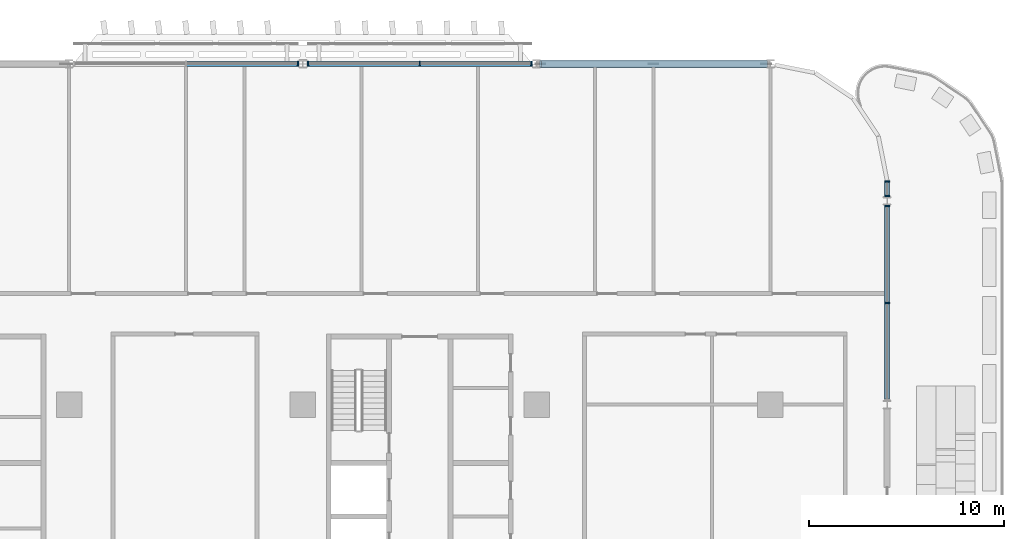
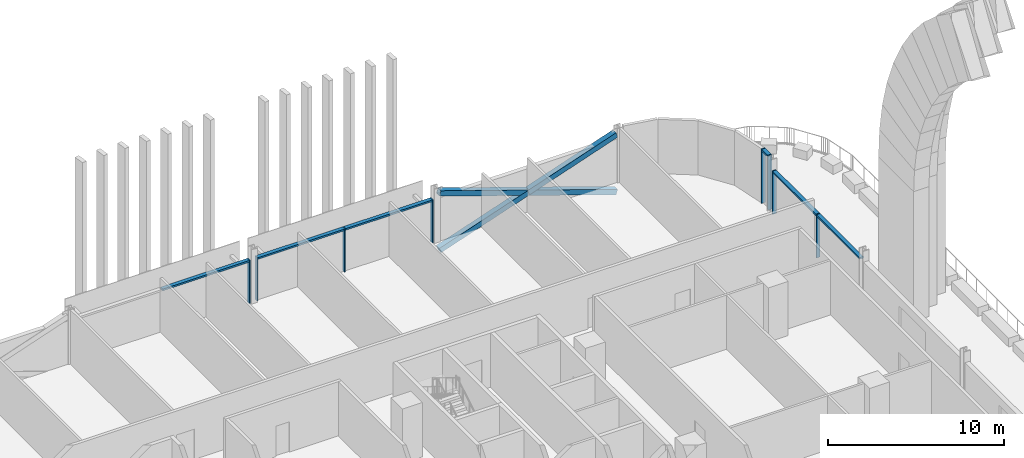
# One storey, part 8 of 33: 17 members, 4 elements without a shape of their own.
"""IFC4 building model written with IfcOpenShell, lengths in metres."""

from ifc_helpers import new_model, si_unit, direction, frame, origin, origin_2d, place, context, subcontext, project, spatial, rectangle, hollow_rectangle, extrude, material, material_profile, profile_set, type_object, element, aggregate, save


model = new_model("IFC4")

# Units and contexts
model_context = context("Model", 3, precision=1e-05, world=origin(), true_north=direction((0.0, 1.0)))
body_context = subcontext(model_context, "Body", "Model", "MODEL_VIEW")
ifc_project = project(units=[si_unit("LENGTHUNIT", "METRE"), si_unit("AREAUNIT", "SQUARE_METRE"), si_unit("VOLUMEUNIT", "CUBIC_METRE"), si_unit("PLANEANGLEUNIT", "RADIAN"), si_unit("MASSUNIT", "GRAM", prefix="KILO")], contexts=[model_context])

# Site, building, storey
site_placement = place(None, origin())
site = spatial("IfcSite", under=ifc_project, at=site_placement, CompositionType="ELEMENT")
building_placement = place(site_placement, origin())
building = spatial("IfcBuilding", under=site, at=building_placement, Name="Mahtab Terrace Research Tower", CompositionType="ELEMENT")
storey_placement = place(building_placement, frame((0.0, 0.0, 122.0)))
storey = spatial("IfcBuildingStorey", under=building, at=storey_placement, Name="L28", CompositionType="ELEMENT", Elevation=122.0)

# Members
ifc_material_1 = material(Name="Steel ASTM A500 Gr C", Category="steel")
ifc_material_profile_1 = material_profile(ifc_material_1, hollow_rectangle(XDim=0.355712890625, YDim=0.355712890625, WallThickness=0.01904296875, at=origin_2d()), Name="HSS14X14X3/4")
ifc_profile_set_1 = profile_set([ifc_material_profile_1], Name="Steel ASTM A500 Gr C")
member_type_1 = type_object("IfcMemberType", Name="HSS 14x14x3/4 brace XB141434", PredefinedType="BRACE", material=ifc_profile_set_1)
member_1_placement = place(storey_placement, frame((41.794189453125, 29.0, -0.648193359375), z_axis=(-0.946288278, 0.0, 0.323324132908), x_axis=(0.0, -1.0, 0.0)))
element("IfcMember", 1, at=member_1_placement, inside=storey, type_object=member_type_1, Name="Exoskeleton brace L28 01 a", PredefinedType="BRACE", context=body_context, shape_type="SweptSolid", body=[
    extrude(hollow_rectangle(XDim=0.355712890625, YDim=0.355712890625, WallThickness=0.01904296875, at=origin_2d()), origin(), (0.0, 0.0, 1.0), 12.24609375),
])
for number, where, z_axis, x_axis, name in (
    (2, (30.205810546875, 29.0, -0.648193359375), (0.946288278, 0.0, 0.323324132908), (0.0, 1.0, 0.0), "Exoskeleton brace L28 01 b1"),
    (3, (36.0, 29.0, 1.33154296875), (0.946288278, 0.0, 0.323324132908), (0.0, 1.0, 0.0), "Exoskeleton brace L28 01 b2"),
):
    element("IfcMember", number, at=place(storey_placement, frame(where, z_axis=z_axis, x_axis=x_axis)), inside=storey, type_object=member_type_1, Name=name, PredefinedType="BRACE", context=body_context, shape_type="SweptSolid", body=[
        extrude(hollow_rectangle(XDim=0.355712890625, YDim=0.355712890625, WallThickness=0.01904296875, at=origin_2d()), origin(), (0.0, 0.0, 1.0), 6.123046875),
    ])

# Curtain wall, members
ifc_material_2 = material(Name="Sky lounge full-height curtain wall")
curtain_wall_type = type_object("IfcCurtainWallType", Name="Sky lounge full-height curtain wall", PredefinedType="NOTDEFINED", material=ifc_material_2)
curtain_wall_1_placement = place(storey_placement, origin())
curtain_wall_1 = element("IfcCurtainWall", 4, at=curtain_wall_1_placement, inside=storey, type_object=curtain_wall_type, Name="EN.L28.3.4", PredefinedType="NOTDEFINED")
ifc_material_3 = material(Name="Natural anodised aluminium", Category="aluminium")
ifc_material_profile_2 = material_profile(ifc_material_3, rectangle(XDim=0.25, YDim=0.070068359375, at=origin_2d()), Name="MULLION 70x250")
ifc_profile_set_2 = profile_set([ifc_material_profile_2], Name="Natural anodised aluminium")
member_type_2 = type_object("IfcMemberType", Name="Sky lounge full-height curtain wall mullion", PredefinedType="MULLION", material=ifc_profile_set_2)
member_2_placement = place(storey_placement, frame((29.7470703125, 29.0, 0.0), z_axis=(0.0, 0.0, 1.0), x_axis=(0.0, -1.0, 0.0)))
member_2 = element("IfcMember", 5, at=member_2_placement, type_object=member_type_2, Name="CWS-4 mullion 1", PredefinedType="MULLION", context=body_context, shape_type="SweptSolid", body=[
    extrude(rectangle(XDim=0.25, YDim=0.070068359375, at=origin_2d()), origin(), (0.0, 0.0, 1.0), 3.003173828125),
])
member_3_placement = place(storey_placement, frame((24.0, 29.0, 0.0), z_axis=(0.0, 0.0, 1.0), x_axis=(0.0, -1.0, 0.0)))
member_3 = element("IfcMember", 6, at=member_3_placement, type_object=member_type_2, Name="CWS-4 mullion 2", PredefinedType="MULLION", context=body_context, shape_type="SweptSolid", body=[
    extrude(rectangle(XDim=0.25, YDim=0.070068359375, at=origin_2d()), origin(), (0.0, 0.0, 1.0), 3.003173828125),
])
member_4_placement = place(storey_placement, frame((18.2529296875, 29.0, 0.0), z_axis=(0.0, 0.0, 1.0), x_axis=(0.0, -1.0, 0.0)))
member_4 = element("IfcMember", 7, at=member_4_placement, type_object=member_type_2, Name="CWS-4 mullion 3", PredefinedType="MULLION", context=body_context, shape_type="SweptSolid", body=[
    extrude(rectangle(XDim=0.25, YDim=0.070068359375, at=origin_2d()), origin(), (0.0, 0.0, 1.0), 3.003173828125),
])

# Curtain wall, member
curtain_wall_2_placement = place(storey_placement, origin())
curtain_wall_2 = element("IfcCurtainWall", 8, at=curtain_wall_2_placement, inside=storey, type_object=curtain_wall_type, Name="EN.L28.3.5", PredefinedType="NOTDEFINED")
member_5_placement = place(storey_placement, frame((17.7470703125, 29.0, 0.0), z_axis=(0.0, 0.0, 1.0), x_axis=(0.0, -1.0, 0.0)))
member_5 = element("IfcMember", 9, at=member_5_placement, type_object=member_type_2, Name="CWS-4 mullion 1", PredefinedType="MULLION", context=body_context, shape_type="SweptSolid", body=[
    extrude(rectangle(XDim=0.25, YDim=0.070068359375, at=origin_2d()), origin(), (0.0, 0.0, 1.0), 3.003173828125),
])

# Curtain wall, members
curtain_wall_3_placement = place(storey_placement, origin())
curtain_wall_3 = element("IfcCurtainWall", 10, at=curtain_wall_3_placement, inside=storey, type_object=curtain_wall_type, Name="EN.L28.18.38", PredefinedType="NOTDEFINED")
member_6_placement = place(storey_placement, frame((48.0, 16.73095703125, 0.0), z_axis=(0.0, 0.0, 1.0), x_axis=(-1.0, 0.0, 0.0)))
member_6 = element("IfcMember", 11, at=member_6_placement, type_object=member_type_2, Name="CWS-4 mullion 2", PredefinedType="MULLION", context=body_context, shape_type="SweptSolid", body=[
    extrude(rectangle(XDim=0.25, YDim=0.070068359375, at=origin_2d()), origin(), (0.0, 0.0, 1.0), 3.003173828125),
])
member_7_placement = place(storey_placement, frame((48.0, 21.708984375, 0.0), z_axis=(0.0, 0.0, 1.0), x_axis=(-1.0, 0.0, 0.0)))
member_7 = element("IfcMember", 12, at=member_7_placement, type_object=member_type_2, Name="CWS-4 mullion 3", PredefinedType="MULLION", context=body_context, shape_type="SweptSolid", body=[
    extrude(rectangle(XDim=0.25, YDim=0.070068359375, at=origin_2d()), origin(), (0.0, 0.0, 1.0), 3.003173828125),
])

curtain_wall_4_placement = place(storey_placement, origin())
curtain_wall_4 = element("IfcCurtainWall", 13, at=curtain_wall_4_placement, inside=storey, type_object=curtain_wall_type, Name="EN.L28.18.39", PredefinedType="NOTDEFINED")
member_8_placement = place(storey_placement, frame((48.0, 22.215087890625, 0.0), z_axis=(0.0, 0.0, 1.0), x_axis=(-1.0, 0.0, 0.0)))
member_8 = element("IfcMember", 14, at=member_8_placement, type_object=member_type_2, Name="CWS-4 mullion 1", PredefinedType="MULLION", context=body_context, shape_type="SweptSolid", body=[
    extrude(rectangle(XDim=0.25, YDim=0.070068359375, at=origin_2d()), origin(), (0.0, 0.0, 1.0), 3.760009765625),
])
member_9_placement = place(storey_placement, frame((48.0, 22.965087890625, 0.0), z_axis=(0.0, 0.0, 1.0), x_axis=(-1.0, 0.0, 0.0)))
member_9 = element("IfcMember", 15, at=member_9_placement, type_object=member_type_2, Name="CWS-4 mullion 2", PredefinedType="MULLION", context=body_context, shape_type="SweptSolid", body=[
    extrude(rectangle(XDim=0.25, YDim=0.070068359375, at=origin_2d()), origin(), (0.0, 0.0, 1.0), 3.760009765625),
])

# Member
ifc_material_profile_3 = material_profile(ifc_material_3, rectangle(XDim=0.25, YDim=0.1201171875, at=origin_2d()), Name="TRANSOM 120x250")
ifc_profile_set_3 = profile_set([ifc_material_profile_3], Name="Natural anodised aluminium")
member_type_3 = type_object("IfcMemberType", Name="Sky lounge full-height curtain wall transom", PredefinedType="USERDEFINED", material=ifc_profile_set_3)
member_10_placement = place(storey_placement, frame((29.7119140625, 29.0, 2.943115234375), z_axis=(-1.0, 0.0, 0.0), x_axis=(0.0, -1.0, 0.0)))
member_10 = element("IfcMember", 16, at=member_10_placement, type_object=member_type_3, Name="CWS-4 transom 1", ObjectType="TRANSOM", PredefinedType="USERDEFINED", context=body_context, shape_type="SweptSolid", body=[
    extrude(rectangle(XDim=0.25, YDim=0.1201171875, at=origin_2d()), origin(), (0.0, 0.0, 1.0), 5.677001953125),
])

member_11_placement = place(storey_placement, frame((23.965087890625, 29.0, 2.943115234375), z_axis=(-1.0, 0.0, 0.0), x_axis=(0.0, -1.0, 0.0)))
member_11 = element("IfcMember", 17, at=member_11_placement, type_object=member_type_3, Name="CWS-4 transom 2", ObjectType="TRANSOM", PredefinedType="USERDEFINED", context=body_context, shape_type="SweptSolid", body=[
    extrude(rectangle(XDim=0.25, YDim=0.1201171875, at=origin_2d()), origin(), (0.0, 0.0, 1.0), 5.677001953125),
])

aggregate(curtain_wall_1, [member_2, member_3, member_4, member_10, member_11])

member_12_placement = place(storey_placement, frame((17.7119140625, 29.0, 2.943115234375), z_axis=(-1.0, 0.0, 0.0), x_axis=(0.0, -1.0, 0.0)))
member_12 = element("IfcMember", 18, at=member_12_placement, type_object=member_type_3, Name="CWS-4 transom 1", ObjectType="TRANSOM", PredefinedType="USERDEFINED", context=body_context, shape_type="SweptSolid", body=[
    extrude(rectangle(XDim=0.25, YDim=0.1201171875, at=origin_2d()), origin(), (0.0, 0.0, 1.0), 5.677001953125),
])

aggregate(curtain_wall_2, [member_5, member_12])

member_13_placement = place(storey_placement, frame((48.0, 11.7880859375, 2.943115234375), z_axis=(0.0, 1.0, 0.0), x_axis=(-1.0, 0.0, 0.0)))
member_13 = element("IfcMember", 19, at=member_13_placement, type_object=member_type_3, Name="CWS-4 transom 1", ObjectType="TRANSOM", PredefinedType="USERDEFINED", context=body_context, shape_type="SweptSolid", body=[
    extrude(rectangle(XDim=0.25, YDim=0.1201171875, at=origin_2d()), origin(), (0.0, 0.0, 1.0), 4.907958984375),
])

member_14_placement = place(storey_placement, frame((48.0, 16.76611328125, 2.943115234375), z_axis=(0.0, 1.0, 0.0), x_axis=(-1.0, 0.0, 0.0)))
member_14 = element("IfcMember", 20, at=member_14_placement, type_object=member_type_3, Name="CWS-4 transom 2", ObjectType="TRANSOM", PredefinedType="USERDEFINED", context=body_context, shape_type="SweptSolid", body=[
    extrude(rectangle(XDim=0.25, YDim=0.1201171875, at=origin_2d()), origin(), (0.0, 0.0, 1.0), 4.907958984375),
])

aggregate(curtain_wall_3, [member_6, member_7, member_13, member_14])

member_15_placement = place(storey_placement, frame((48.0, 22.25, 3.699951171875), z_axis=(0.0, 1.0, 0.0), x_axis=(-1.0, 0.0, 0.0)))
member_15 = element("IfcMember", 21, at=member_15_placement, type_object=member_type_3, Name="CWS-4 transom 1", ObjectType="TRANSOM", PredefinedType="USERDEFINED", context=body_context, shape_type="SweptSolid", body=[
    extrude(rectangle(XDim=0.25, YDim=0.1201171875, at=origin_2d()), origin(), (0.0, 0.0, 1.0), 0.679931640625),
])

aggregate(curtain_wall_4, [member_8, member_9, member_15])

save(model, "model.ifc")
